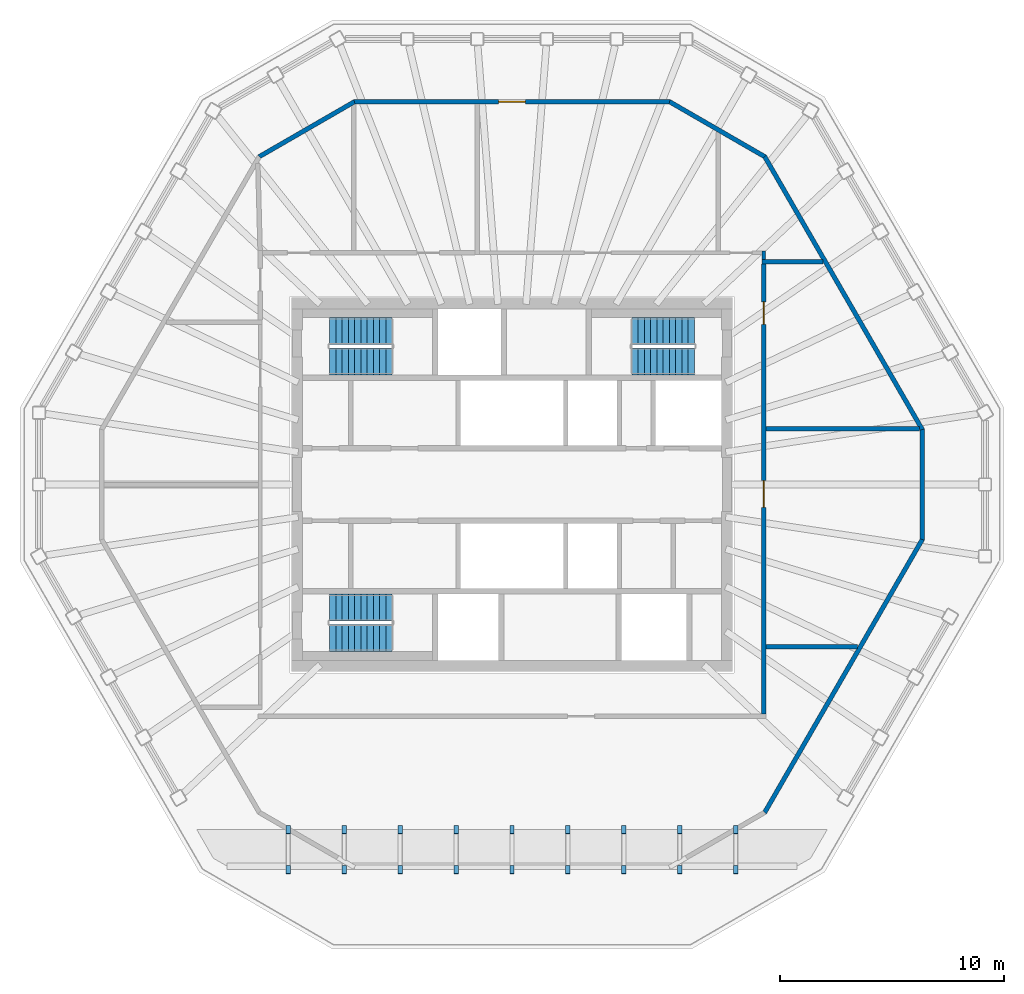
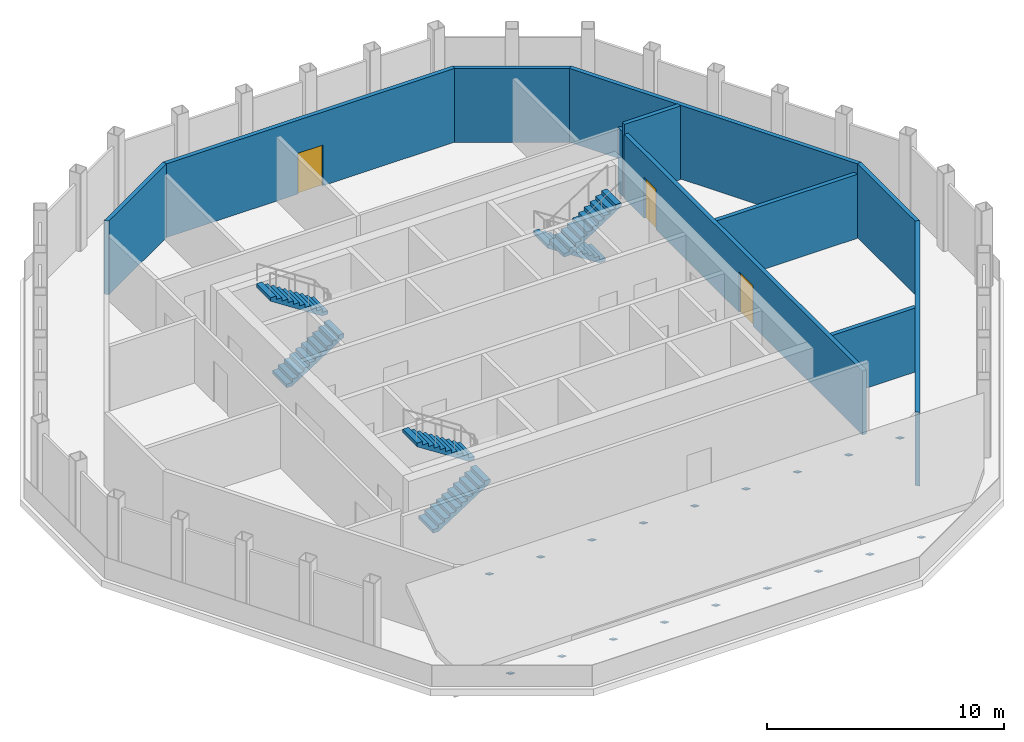
# One storey, part 4 of 5: 18 discrete accessories, 11 walls, 6 stair flights, 3 doors, 3 openings, 3 elements without a shape of their own.
"""IFC4 building model written with IfcOpenShell, lengths in metres."""

from ifc_helpers import new_model, si_unit, direction, frame, frame_2d, origin, origin_2d, place, context, subcontext, project, spatial, polyline, rectangle, outline, extrude, material, layer, layer_set, type_object, element, fill, aggregate, save


model = new_model("IFC4")

# Units and contexts
model_context = context("Model", 3, precision=1e-05, world=origin(), true_north=direction((0.0, 1.0)))
body_context = subcontext(model_context, "Body", "Model", "MODEL_VIEW")
ifc_project = project(units=[si_unit("LENGTHUNIT", "METRE"), si_unit("AREAUNIT", "SQUARE_METRE"), si_unit("VOLUMEUNIT", "CUBIC_METRE"), si_unit("PLANEANGLEUNIT", "RADIAN"), si_unit("MASSUNIT", "GRAM", prefix="KILO")], contexts=[model_context])

# Site, building, storey
site_placement = place(None, origin())
site = spatial("IfcSite", under=ifc_project, at=site_placement, CompositionType="ELEMENT")
building_placement = place(site_placement, origin())
building = spatial("IfcBuilding", under=site, at=building_placement, Name="Frailejon Research Tower", CompositionType="ELEMENT")
storey_placement = place(building_placement, frame((0.0, 0.0, 344.60009765625)))
storey = spatial("IfcBuildingStorey", under=building, at=storey_placement, Name="L77", CompositionType="ELEMENT", Elevation=344.60009765625)

# Walls
ifc_material_1 = material(Name="Gypsum board and masonry partition", Category="masonry")
ifc_layer_1 = layer(ifc_material_1, 0.14990234375)
ifc_layer_set_1 = layer_set([ifc_layer_1], Name="Corridor wall EI 60, gypsum on steel studs 150")
wall_type_1 = type_object("IfcWallType", Name="Corridor wall EI 60, gypsum on steel studs 150", PredefinedType="PARTITIONING", material=ifc_layer_set_1)
wall_1_placement = place(storey_placement, frame((11.25, 10.048828125, 0.0), z_axis=(0.0, 0.0, 1.0), x_axis=(0.0, 1.0, 0.0)))
element("IfcWall", 1, at=wall_1_placement, inside=storey, type_object=wall_type_1, Name="T:IW:L77:002", PredefinedType="PARTITIONING", context=body_context, shape_type="SweptSolid", body=[
    extrude(rectangle(XDim=0.376220703125, YDim=0.14990234375, at=frame_2d((0.18798828125, 0.0))), origin(), (0.0, 0.0, 1.0), 3.2998046875),
])
ifc_material_2 = material(Name="Aluminium louvre cladding panel", Category="aluminium")
ifc_layer_2 = layer(ifc_material_2, 0.199951171875)
ifc_layer_set_2 = layer_set([ifc_layer_2], Name="Crown louvred wall 200")
wall_type_2 = type_object("IfcWallType", Name="Crown louvred wall 200", PredefinedType="SOLIDWALL", material=ifc_layer_set_2)
wall_2_placement = place(storey_placement, frame((18.327392578125, -2.455810546875, 0.0), z_axis=(0.0, 0.0, 1.0), x_axis=(0.0, 1.0, 0.0)))
element("IfcWall", 2, at=wall_2_placement, inside=storey, type_object=wall_type_2, Name="Crown louvred wall L77", PredefinedType="SOLIDWALL", context=body_context, shape_type="SweptSolid", body=[
    extrude(outline(polyline([(-0.02685546875, -0.10009765625), (4.9384765625, -0.10009765625), (4.884765625, 0.10009765625), (0.02685546875, 0.10009765625), (-0.02685546875, -0.10009765625)])), origin(), (0.0, 0.0, 1.0), 3.7998046875),
])
wall_3_placement = place(storey_placement, frame((18.327392578125, 2.455810546875, 0.0), z_axis=(0.0, 0.0, 1.0), x_axis=(-0.499991740577, 0.866030172312, 0.0)))
element("IfcWall", 3, at=wall_3_placement, inside=storey, type_object=wall_type_2, Name="Crown louvred wall L77", PredefinedType="SOLIDWALL", context=body_context, shape_type="SweptSolid", body=[
    extrude(outline(polyline([(-0.02685546875, -0.10009765625), (14.100830078125, -0.10009765625), (14.047119140625, 0.10009765625), (0.02685546875, 0.10009765625), (-0.02685546875, -0.10009765625)])), origin(), (0.0, 0.0, 1.0), 3.7998046875),
])
wall_4_placement = place(storey_placement, frame((11.29052734375, 14.644287109375, 0.0), z_axis=(0.0, 0.0, 1.0), x_axis=(-0.86601671623, 0.500015046984, 0.0)))
element("IfcWall", 4, at=wall_4_placement, inside=storey, type_object=wall_type_2, Name="Crown louvred wall L77", PredefinedType="SOLIDWALL", context=body_context, shape_type="SweptSolid", body=[
    extrude(outline(polyline([(-0.02685546875, -0.10009765625), (4.938232421875, -0.10009765625), (4.884521484375, 0.10009765625), (0.02685546875, 0.10009765625), (-0.02685546875, -0.10009765625)])), origin(), (0.0, 0.0, 1.0), 3.7998046875),
])

# Wall, opening, door
wall_5_placement = place(storey_placement, frame((7.037109375, 17.10009765625, 0.0), z_axis=(0.0, 0.0, 1.0), x_axis=(-1.0, 0.0, 0.0)))
wall_5 = element("IfcWall", 5, at=wall_5_placement, inside=storey, type_object=wall_type_2, Name="Crown louvred wall L77", PredefinedType="SOLIDWALL", context=body_context, shape_type="SweptSolid", body=[
    extrude(outline(polyline([(-0.02685546875, -0.10009765625), (14.10107421875, -0.10009765625), (14.04736328125, 0.10009765625), (0.02685546875, 0.10009765625), (-0.02685546875, -0.10009765625)])), origin(), (0.0, 0.0, 1.0), 3.7998046875),
])
opening_1_placement = place(wall_5_placement, frame((6.43701171875, 0.0, 0.0)))
opening_1 = element("IfcOpeningElement", 6, at=opening_1_placement, cuts=wall_5, Name="Opening PG77-1", PredefinedType="OPENING", context=body_context, shape_type="SweptSolid", body=[
    extrude(rectangle(XDim=1.199951171875, YDim=2.10009765625, at=frame_2d((0.60009765625, 1.050048828125))), frame((0.0, 0.10986328125, 0.0), z_axis=(0.0, -1.0, 0.0), x_axis=(1.0, 0.0, 0.0)), (0.0, 0.0, 1.0), 0.219970703125),
])
ifc_material_3 = material(Name="Steel door leaf", Category="steel")
door_type_1 = type_object("IfcDoorType", Name="Plant gallery door 1200x2100", OperationType="SINGLE_SWING_RIGHT", PredefinedType="DOOR", material=ifc_material_3)
door_1_placement = place(opening_1_placement, origin())
door_1 = element("IfcDoor", 7, at=door_1_placement, inside=storey, type_object=door_type_1, Name="Door PG77-1", OperationType="SINGLE_SWING_RIGHT", OverallHeight=2.10009765625, OverallWidth=1.199951171875, PredefinedType="DOOR", context=body_context, shape_type="SweptSolid", body=[
    extrude(rectangle(XDim=1.199951171875, YDim=2.10009765625, at=frame_2d((0.60009765625, 1.050048828125))), frame((0.0, 0.02490234375, 0.0), z_axis=(0.0, -1.0, 0.0), x_axis=(1.0, 0.0, 0.0)), (0.0, 0.0, 1.0), 0.050048828125),
])
fill(opening_1, door_1)

# Walls
wall_6_placement = place(storey_placement, frame((-7.037109375, 17.10009765625, 0.0), z_axis=(0.0, 0.0, 1.0), x_axis=(-0.86601671623, -0.500015046984, 0.0)))
element("IfcWall", 8, at=wall_6_placement, inside=storey, type_object=wall_type_2, Name="Crown louvred wall L77", PredefinedType="SOLIDWALL", context=body_context, shape_type="SweptSolid", body=[
    extrude(outline(polyline([(-0.02685546875, -0.10009765625), (4.938232421875, -0.10009765625), (4.884521484375, 0.10009765625), (0.02685546875, 0.10009765625), (-0.02685546875, -0.10009765625)])), origin(), (0.0, 0.0, 1.0), 3.7998046875),
])
wall_7_placement = place(storey_placement, frame((11.29052734375, -14.644287109375, 0.0), z_axis=(0.0, 0.0, 1.0), x_axis=(0.499991740577, 0.866030172312, 0.0)))
element("IfcWall", 9, at=wall_7_placement, inside=storey, type_object=wall_type_2, Name="Crown louvred wall L77", PredefinedType="SOLIDWALL", context=body_context, shape_type="SweptSolid", body=[
    extrude(outline(polyline([(-0.02685546875, -0.10009765625), (14.100830078125, -0.10009765625), (14.047119140625, 0.10009765625), (0.02685546875, 0.10009765625), (-0.02685546875, -0.10009765625)])), origin(), (0.0, 0.0, 1.0), 3.7998046875),
])

# Wall, openings, doors
ifc_material_4 = material(Name="Gypsum board and masonry partition", Category="masonry")
ifc_layer_3 = layer(ifc_material_4, 0.199951171875)
ifc_layer_set_3 = layer_set([ifc_layer_3], Name="Plant enclosure wall, blockwork 200")
wall_type_3 = type_object("IfcWallType", Name="Plant enclosure wall, blockwork 200", PredefinedType="PARTITIONING", material=ifc_layer_set_3)
wall_8_placement = place(storey_placement, frame((11.25, -10.25, 0.0), z_axis=(0.0, 0.0, 1.0), x_axis=(0.0, 1.0, 0.0)))
wall_8 = element("IfcWall", 10, at=wall_8_placement, inside=storey, type_object=wall_type_3, Name="T:IW:L77:004", PredefinedType="PARTITIONING", context=body_context, shape_type="SweptSolid", body=[
    extrude(rectangle(XDim=20.098876953125, YDim=0.199951171875, at=frame_2d((10.04931640625, 0.0))), origin(), (0.0, 0.0, 1.0), 3.2998046875),
])
opening_2_placement = place(wall_8_placement, frame((17.4072265625, 0.0, 0.0)))
opening_2 = element("IfcOpeningElement", 11, at=opening_2_placement, cuts=wall_8, Name="Opening D1162", PredefinedType="OPENING", context=body_context, shape_type="SweptSolid", body=[
    extrude(rectangle(XDim=1.0, YDim=2.10009765625, at=frame_2d((0.5, 1.050048828125))), frame((0.0, 0.10986328125, 0.0), z_axis=(0.0, -1.0, 0.0), x_axis=(1.0, 0.0, 0.0)), (0.0, 0.0, 1.0), 0.219970703125),
])
opening_3_placement = place(wall_8_placement, frame((9.22412109375, 0.0, 0.0)))
opening_3 = element("IfcOpeningElement", 12, at=opening_3_placement, cuts=wall_8, Name="Opening D1171", PredefinedType="OPENING", context=body_context, shape_type="SweptSolid", body=[
    extrude(rectangle(XDim=1.199951171875, YDim=2.10009765625, at=frame_2d((0.60009765625, 1.050048828125))), frame((0.0, 0.10986328125, 0.0), z_axis=(0.0, -1.0, 0.0), x_axis=(1.0, 0.0, 0.0)), (0.0, 0.0, 1.0), 0.219970703125),
])
ifc_material_5 = material(Name="Steel door leaf", Category="steel")
door_type_2 = type_object("IfcDoorType", Name="Door plant room, steel 1000", OperationType="NOTDEFINED", PredefinedType="DOOR", material=ifc_material_5)
door_2_placement = place(opening_2_placement, origin())
door_2 = element("IfcDoor", 13, at=door_2_placement, inside=storey, type_object=door_type_2, Name="D1162", OperationType="SINGLE_SWING_RIGHT", OverallHeight=2.10009765625, OverallWidth=1.0, PredefinedType="DOOR", context=body_context, shape_type="SweptSolid", body=[
    extrude(rectangle(XDim=1.0, YDim=2.10009765625, at=frame_2d((0.5, 1.050048828125))), frame((0.0, 0.02490234375, 0.0), z_axis=(0.0, -1.0, 0.0), x_axis=(1.0, 0.0, 0.0)), (0.0, 0.0, 1.0), 0.050048828125),
])
fill(opening_2, door_2)
ifc_material_6 = material(Name="Steel door leaf", Category="steel")
door_type_3 = type_object("IfcDoorType", Name="Door plant room, steel 1200", OperationType="NOTDEFINED", PredefinedType="DOOR", material=ifc_material_6)
door_3_placement = place(opening_3_placement, origin())
door_3 = element("IfcDoor", 14, at=door_3_placement, inside=storey, type_object=door_type_3, Name="D1171", OperationType="DOUBLE_DOOR_SINGLE_SWING", OverallHeight=2.10009765625, OverallWidth=1.199951171875, PredefinedType="DOOR", context=body_context, shape_type="SweptSolid", body=[
    extrude(rectangle(XDim=1.199951171875, YDim=2.10009765625, at=frame_2d((0.60009765625, 1.050048828125))), frame((0.0, 0.02490234375, 0.0), z_axis=(0.0, -1.0, 0.0), x_axis=(1.0, 0.0, 0.0)), (0.0, 0.0, 1.0), 0.050048828125),
])
fill(opening_3, door_3)

# Walls
wall_9_placement = place(storey_placement, frame((11.175048828125, 9.94873046875, 0.0), z_axis=(0.0, 0.0, 1.0), x_axis=(1.0, 0.0, 0.0)))
element("IfcWall", 15, at=wall_9_placement, inside=storey, type_object=wall_type_3, Name="T:IW:L77:008", PredefinedType="PARTITIONING", context=body_context, shape_type="SweptSolid", body=[
    extrude(rectangle(XDim=2.7109375, YDim=0.199951171875, at=frame_2d((1.35546875, 0.0))), origin(), (0.0, 0.0, 1.0), 3.7998046875),
])
wall_10_placement = place(storey_placement, frame((11.35009765625, 2.482666015625, 0.0), z_axis=(0.0, 0.0, 1.0), x_axis=(1.0, 0.0, 0.0)))
element("IfcWall", 16, at=wall_10_placement, inside=storey, type_object=wall_type_3, Name="T:IW:L77:009", PredefinedType="PARTITIONING", context=body_context, shape_type="SweptSolid", body=[
    extrude(rectangle(XDim=6.846435546875, YDim=0.199951171875, at=frame_2d((3.42333984375, 0.0))), origin(), (0.0, 0.0, 1.0), 3.2998046875),
])
wall_11_placement = place(storey_placement, frame((11.35009765625, -7.251220703125, 0.0), z_axis=(0.0, 0.0, 1.0), x_axis=(1.0, 0.0, 0.0)))
element("IfcWall", 17, at=wall_11_placement, inside=storey, type_object=wall_type_3, Name="T:IW:L77:017", PredefinedType="PARTITIONING", context=body_context, shape_type="SweptSolid", body=[
    extrude(rectangle(XDim=4.09326171875, YDim=0.199951171875, at=frame_2d((2.046630859375, 0.0))), origin(), (0.0, 0.0, 1.0), 3.2998046875),
])

# Stair, stair flights
ifc_material_7 = material(Name="Concrete C50/60", Category="concrete")
stair_type = type_object("IfcStairType", Name="Exit stair 22 risers", PredefinedType="HALF_TURN_STAIR", material=ifc_material_7)
stair_1_placement = place(storey_placement, origin())
stair_1 = element("IfcStair", 18, at=stair_1_placement, inside=storey, type_object=stair_type, Name="L77 Exit stair ST1", PredefinedType="HALF_TURN_STAIR")
ifc_material_8 = material(Name="Concrete C50/60", Category="concrete")
ifc_layer_4 = layer(ifc_material_8, 0.14990234375)
ifc_layer_set_4 = layer_set([ifc_layer_4], Name="Stair flight 11 risers")
stair_flight_type = type_object("IfcStairFlightType", Name="Stair flight 11 risers", PredefinedType="STRAIGHT", material=ifc_layer_set_4)
stair_flight_1_placement = place(storey_placement, frame((-8.14990234375, 5.5, 0.0), z_axis=(0.0, 0.0, 1.0), x_axis=(1.0, 0.0, 0.0)))
stair_flight_1 = element("IfcStairFlight", 19, at=stair_flight_1_placement, type_object=stair_flight_type, Name="ST1 flight 1", NumberOfRisers=11, NumberOfTreads=10, PredefinedType="STRAIGHT", RiserHeight=0.181818182, TreadLength=0.28, context=body_context, shape_type="SweptSolid", body=[
    extrude(outline(polyline([(0.0, 0.0), (0.0, 0.181884765625), (0.280029296875, 0.181884765625), (0.280029296875, 0.363525390625), (0.56005859375, 0.363525390625), (0.56005859375, 0.54541015625), (0.840087890625, 0.54541015625), (0.840087890625, 0.727294921875), (1.1201171875, 0.727294921875), (1.1201171875, 0.9091796875), (1.39990234375, 0.9091796875), (1.39990234375, 1.0908203125), (1.679931640625, 1.0908203125), (1.679931640625, 1.272705078125), (1.9599609375, 1.272705078125), (1.9599609375, 1.45458984375), (2.239990234375, 1.45458984375), (2.239990234375, 1.636474609375), (2.52001953125, 1.636474609375), (2.52001953125, 1.818115234375), (2.800048828125, 1.818115234375), (2.800048828125, 2.0), (2.800048828125, 1.639404296875), (0.275146484375, 0.0), (0.0, 0.0)])), frame((0.0, 0.60009765625, 0.0), z_axis=(0.0, -1.0, 0.0), x_axis=(1.0, 0.0, 0.0)), (0.0, 0.0, 1.0), 1.199951171875),
])
stair_flight_2_placement = place(storey_placement, frame((-5.35009765625, 6.85009765625, 2.0), z_axis=(0.0, 0.0, 1.0), x_axis=(-1.0, 0.0, 0.0)))
stair_flight_2 = element("IfcStairFlight", 20, at=stair_flight_2_placement, type_object=stair_flight_type, Name="ST1 flight 2", NumberOfRisers=11, NumberOfTreads=10, PredefinedType="STRAIGHT", RiserHeight=0.181818182, TreadLength=0.28, context=body_context, shape_type="SweptSolid", body=[
    extrude(outline(polyline([(0.0, 0.0), (0.0, 0.181884765625), (0.280029296875, 0.181884765625), (0.280029296875, 0.363525390625), (0.56005859375, 0.363525390625), (0.56005859375, 0.54541015625), (0.840087890625, 0.54541015625), (0.840087890625, 0.727294921875), (1.1201171875, 0.727294921875), (1.1201171875, 0.9091796875), (1.39990234375, 0.9091796875), (1.39990234375, 1.0908203125), (1.679931640625, 1.0908203125), (1.679931640625, 1.272705078125), (1.9599609375, 1.272705078125), (1.9599609375, 1.45458984375), (2.239990234375, 1.45458984375), (2.239990234375, 1.636474609375), (2.52001953125, 1.636474609375), (2.52001953125, 1.818115234375), (2.800048828125, 1.818115234375), (2.800048828125, 2.0), (2.800048828125, 1.639404296875), (0.275146484375, 0.0), (0.0, 0.0)])), frame((0.0, 0.60009765625, 0.0), z_axis=(0.0, -1.0, 0.0), x_axis=(1.0, 0.0, 0.0)), (0.0, 0.0, 1.0), 1.199951171875),
])
aggregate(stair_1, [stair_flight_1, stair_flight_2])

stair_2_placement = place(storey_placement, origin())
stair_2 = element("IfcStair", 21, at=stair_2_placement, inside=storey, type_object=stair_type, Name="L77 Exit stair ST2", PredefinedType="HALF_TURN_STAIR")
stair_flight_3_placement = place(storey_placement, frame((-8.14990234375, -6.85009765625, 0.0), z_axis=(0.0, 0.0, 1.0), x_axis=(1.0, 0.0, 0.0)))
stair_flight_3 = element("IfcStairFlight", 22, at=stair_flight_3_placement, type_object=stair_flight_type, Name="ST2 flight 1", NumberOfRisers=11, NumberOfTreads=10, PredefinedType="STRAIGHT", RiserHeight=0.181818182, TreadLength=0.28, context=body_context, shape_type="SweptSolid", body=[
    extrude(outline(polyline([(0.0, 0.0), (0.0, 0.181884765625), (0.280029296875, 0.181884765625), (0.280029296875, 0.363525390625), (0.56005859375, 0.363525390625), (0.56005859375, 0.54541015625), (0.840087890625, 0.54541015625), (0.840087890625, 0.727294921875), (1.1201171875, 0.727294921875), (1.1201171875, 0.9091796875), (1.39990234375, 0.9091796875), (1.39990234375, 1.0908203125), (1.679931640625, 1.0908203125), (1.679931640625, 1.272705078125), (1.9599609375, 1.272705078125), (1.9599609375, 1.45458984375), (2.239990234375, 1.45458984375), (2.239990234375, 1.636474609375), (2.52001953125, 1.636474609375), (2.52001953125, 1.818115234375), (2.800048828125, 1.818115234375), (2.800048828125, 2.0), (2.800048828125, 1.639404296875), (0.275146484375, 0.0), (0.0, 0.0)])), frame((0.0, 0.60009765625, 0.0), z_axis=(0.0, -1.0, 0.0), x_axis=(1.0, 0.0, 0.0)), (0.0, 0.0, 1.0), 1.199951171875),
])
stair_flight_4_placement = place(storey_placement, frame((-5.35009765625, -5.5, 2.0), z_axis=(0.0, 0.0, 1.0), x_axis=(-1.0, 0.0, 0.0)))
stair_flight_4 = element("IfcStairFlight", 23, at=stair_flight_4_placement, type_object=stair_flight_type, Name="ST2 flight 2", NumberOfRisers=11, NumberOfTreads=10, PredefinedType="STRAIGHT", RiserHeight=0.181818182, TreadLength=0.28, context=body_context, shape_type="SweptSolid", body=[
    extrude(outline(polyline([(0.0, 0.0), (0.0, 0.181884765625), (0.280029296875, 0.181884765625), (0.280029296875, 0.363525390625), (0.56005859375, 0.363525390625), (0.56005859375, 0.54541015625), (0.840087890625, 0.54541015625), (0.840087890625, 0.727294921875), (1.1201171875, 0.727294921875), (1.1201171875, 0.9091796875), (1.39990234375, 0.9091796875), (1.39990234375, 1.0908203125), (1.679931640625, 1.0908203125), (1.679931640625, 1.272705078125), (1.9599609375, 1.272705078125), (1.9599609375, 1.45458984375), (2.239990234375, 1.45458984375), (2.239990234375, 1.636474609375), (2.52001953125, 1.636474609375), (2.52001953125, 1.818115234375), (2.800048828125, 1.818115234375), (2.800048828125, 2.0), (2.800048828125, 1.639404296875), (0.275146484375, 0.0), (0.0, 0.0)])), frame((0.0, 0.60009765625, 0.0), z_axis=(0.0, -1.0, 0.0), x_axis=(1.0, 0.0, 0.0)), (0.0, 0.0, 1.0), 1.199951171875),
])
aggregate(stair_2, [stair_flight_3, stair_flight_4])

stair_3_placement = place(storey_placement, origin())
stair_3 = element("IfcStair", 24, at=stair_3_placement, inside=storey, type_object=stair_type, Name="L77 Exit stair ST3", PredefinedType="HALF_TURN_STAIR")
stair_flight_5_placement = place(storey_placement, frame((8.14990234375, 6.85009765625, 0.0), z_axis=(0.0, 0.0, 1.0), x_axis=(-1.0, 0.0, 0.0)))
stair_flight_5 = element("IfcStairFlight", 25, at=stair_flight_5_placement, type_object=stair_flight_type, Name="ST3 flight 1", NumberOfRisers=11, NumberOfTreads=10, PredefinedType="STRAIGHT", RiserHeight=0.181818182, TreadLength=0.28, context=body_context, shape_type="SweptSolid", body=[
    extrude(outline(polyline([(0.0, 0.0), (0.0, 0.181884765625), (0.280029296875, 0.181884765625), (0.280029296875, 0.363525390625), (0.56005859375, 0.363525390625), (0.56005859375, 0.54541015625), (0.840087890625, 0.54541015625), (0.840087890625, 0.727294921875), (1.1201171875, 0.727294921875), (1.1201171875, 0.9091796875), (1.39990234375, 0.9091796875), (1.39990234375, 1.0908203125), (1.679931640625, 1.0908203125), (1.679931640625, 1.272705078125), (1.9599609375, 1.272705078125), (1.9599609375, 1.45458984375), (2.239990234375, 1.45458984375), (2.239990234375, 1.636474609375), (2.52001953125, 1.636474609375), (2.52001953125, 1.818115234375), (2.800048828125, 1.818115234375), (2.800048828125, 2.0), (2.800048828125, 1.639404296875), (0.275146484375, 0.0), (0.0, 0.0)])), frame((0.0, 0.60009765625, 0.0), z_axis=(0.0, -1.0, 0.0), x_axis=(1.0, 0.0, 0.0)), (0.0, 0.0, 1.0), 1.199951171875),
])
stair_flight_6_placement = place(storey_placement, frame((5.35009765625, 5.5, 2.0), z_axis=(0.0, 0.0, 1.0), x_axis=(1.0, 0.0, 0.0)))
stair_flight_6 = element("IfcStairFlight", 26, at=stair_flight_6_placement, type_object=stair_flight_type, Name="ST3 flight 2", NumberOfRisers=11, NumberOfTreads=10, PredefinedType="STRAIGHT", RiserHeight=0.181818182, TreadLength=0.28, context=body_context, shape_type="SweptSolid", body=[
    extrude(outline(polyline([(0.0, 0.0), (0.0, 0.181884765625), (0.280029296875, 0.181884765625), (0.280029296875, 0.363525390625), (0.56005859375, 0.363525390625), (0.56005859375, 0.54541015625), (0.840087890625, 0.54541015625), (0.840087890625, 0.727294921875), (1.1201171875, 0.727294921875), (1.1201171875, 0.9091796875), (1.39990234375, 0.9091796875), (1.39990234375, 1.0908203125), (1.679931640625, 1.0908203125), (1.679931640625, 1.272705078125), (1.9599609375, 1.272705078125), (1.9599609375, 1.45458984375), (2.239990234375, 1.45458984375), (2.239990234375, 1.636474609375), (2.52001953125, 1.636474609375), (2.52001953125, 1.818115234375), (2.800048828125, 1.818115234375), (2.800048828125, 2.0), (2.800048828125, 1.639404296875), (0.275146484375, 0.0), (0.0, 0.0)])), frame((0.0, 0.60009765625, 0.0), z_axis=(0.0, -1.0, 0.0), x_axis=(1.0, 0.0, 0.0)), (0.0, 0.0, 1.0), 1.199951171875),
])
aggregate(stair_3, [stair_flight_5, stair_flight_6])

# Discrete accessories
for number, where, z_axis, x_axis, name in (
    (27, (10.0, -17.199951171875, -0.61474609375), (0.0, -0.407650840374, -0.913137882438), (1.0, 0.0, 0.0), "Crown rafter end plate"),
    (28, (10.0, -15.419189453125, 3.38525390625), (0.0, 0.407650840374, 0.913137882438), (-1.0, 0.0, 0.0), "Crown rafter end plate"),
    (29, (7.5, -17.199951171875, -0.61474609375), (0.0, -0.407650840374, -0.913137882438), (1.0, 0.0, 0.0), "Crown rafter end plate"),
    (30, (7.5, -15.419189453125, 3.38525390625), (0.0, 0.407650840374, 0.913137882438), (-1.0, 0.0, 0.0), "Crown rafter end plate"),
    (31, (5.0, -17.199951171875, -0.61474609375), (0.0, -0.407650840374, -0.913137882438), (1.0, 0.0, 0.0), "Crown rafter end plate"),
    (32, (5.0, -15.419189453125, 3.38525390625), (0.0, 0.407650840374, 0.913137882438), (-1.0, 0.0, 0.0), "Crown rafter end plate"),
    (33, (2.5, -17.199951171875, -0.61474609375), (0.0, -0.407650840374, -0.913137882438), (1.0, 0.0, 0.0), "Crown rafter end plate"),
    (34, (2.5, -15.419189453125, 3.38525390625), (0.0, 0.407650840374, 0.913137882438), (-1.0, 0.0, 0.0), "Crown rafter end plate"),
    (35, (0.0, -17.199951171875, -0.61474609375), (0.0, -0.407650840374, -0.913137882438), (1.0, 0.0, 0.0), "Crown rafter end plate"),
    (36, (0.0, -15.419189453125, 3.38525390625), (0.0, 0.407650840374, 0.913137882438), (-1.0, 0.0, 0.0), "Crown rafter end plate"),
    (37, (-2.5, -17.199951171875, -0.61474609375), (0.0, -0.407650840374, -0.913137882438), (1.0, 0.0, 0.0), "Crown rafter end plate"),
    (38, (-2.5, -15.419189453125, 3.38525390625), (0.0, 0.407650840374, 0.913137882438), (-1.0, 0.0, 0.0), "Crown rafter end plate"),
    (39, (-5.0, -17.199951171875, -0.61474609375), (0.0, -0.407650840374, -0.913137882438), (1.0, 0.0, 0.0), "Crown rafter end plate"),
    (40, (-5.0, -15.419189453125, 3.38525390625), (0.0, 0.407650840374, 0.913137882438), (-1.0, 0.0, 0.0), "Crown rafter end plate"),
    (41, (-7.5, -17.199951171875, -0.61474609375), (0.0, -0.407650840374, -0.913137882438), (1.0, 0.0, 0.0), "Crown rafter end plate"),
    (42, (-7.5, -15.419189453125, 3.38525390625), (0.0, 0.407650840374, 0.913137882438), (-1.0, 0.0, 0.0), "Crown rafter end plate"),
    (43, (-10.0, -17.199951171875, -0.61474609375), (0.0, -0.407650840374, -0.913137882438), (1.0, 0.0, 0.0), "Crown rafter end plate"),
    (44, (-10.0, -15.419189453125, 3.38525390625), (0.0, 0.407650840374, 0.913137882438), (-1.0, 0.0, 0.0), "Crown rafter end plate"),
):
    element("IfcDiscreteAccessory", number, at=place(storey_placement, frame(where, z_axis=z_axis, x_axis=x_axis)), inside=storey, Name=name, PredefinedType="ANCHORPLATE", context=body_context, shape_type="SweptSolid", body=[
        extrude(rectangle(XDim=0.199951171875, YDim=0.39990234375, at=origin_2d()), origin(), (0.0, 0.0, 1.0), 0.030029296875),
    ])

save(model, "model.ifc")
